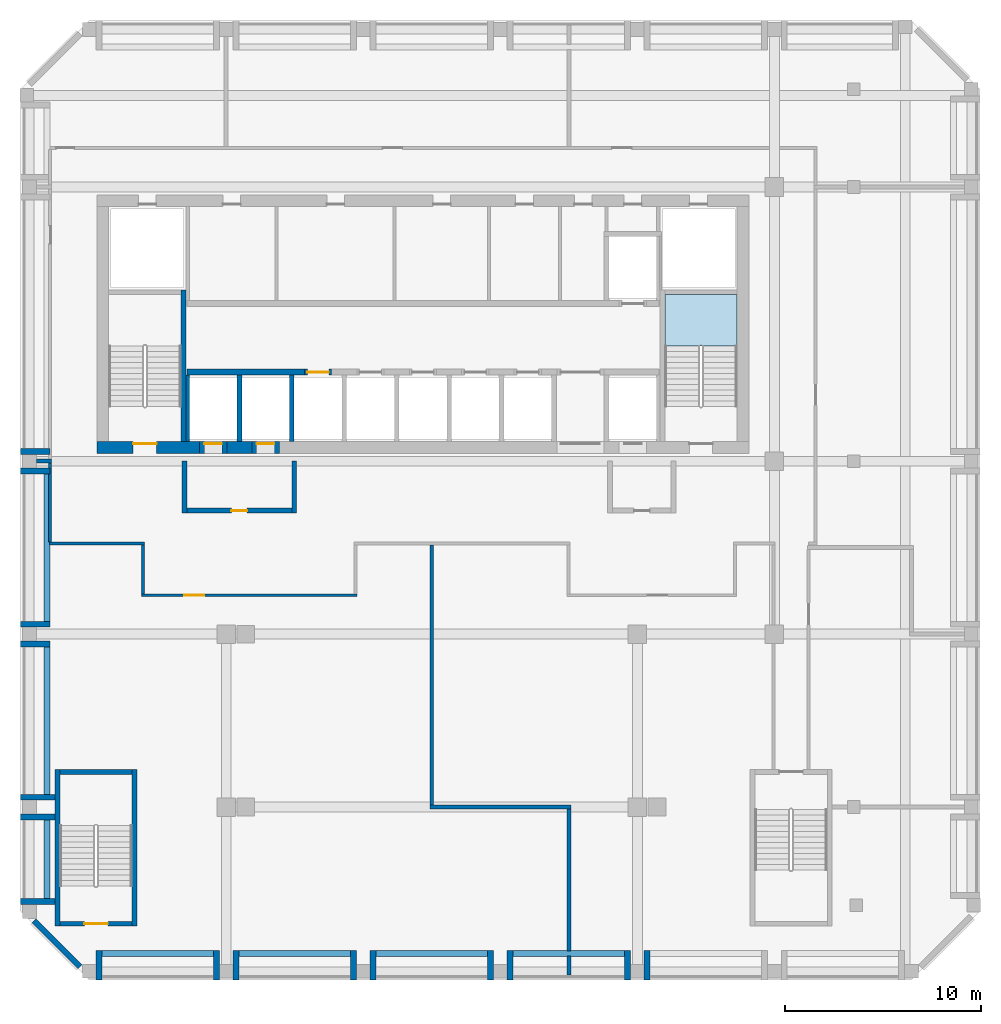
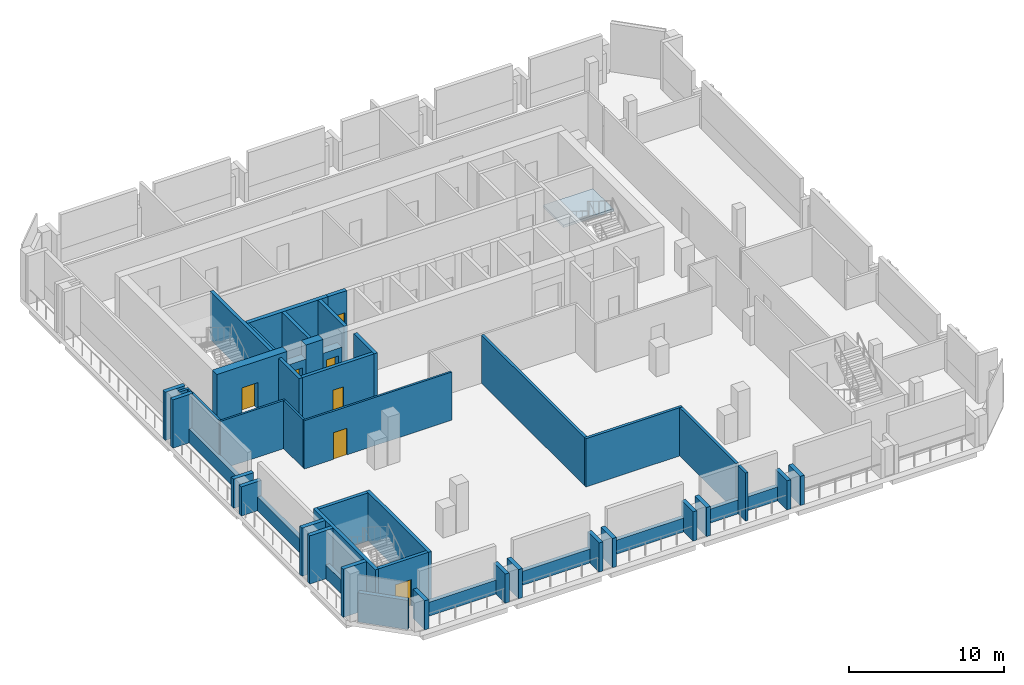
# One storey, part 2 of 7: 50 walls, 7 doors, 1 slab, 7 openings, 1 element without a shape of its own.
"""IFC4 building model written with IfcOpenShell, lengths in metres."""

from ifc_helpers import new_model, si_unit, direction, frame, frame_2d, origin, place, context, subcontext, project, spatial, polyline, rectangle, outline, extrude, source, transform, mapped, material, layer, layer_set, type_object, element, fill, aggregate, save


model = new_model("IFC4")

# Units and contexts
model_context = context("Model", 3, precision=1e-05, world=origin(), true_north=direction((0.0, 1.0)))
body_context = subcontext(model_context, "Body", "Model", "MODEL_VIEW")
ifc_project = project(units=[si_unit("LENGTHUNIT", "METRE"), si_unit("AREAUNIT", "SQUARE_METRE"), si_unit("VOLUMEUNIT", "CUBIC_METRE"), si_unit("PLANEANGLEUNIT", "RADIAN"), si_unit("MASSUNIT", "GRAM", prefix="KILO")], contexts=[model_context])

# Site, building, storey
site_placement = place(None, origin())
site = spatial("IfcSite", under=ifc_project, at=site_placement, CompositionType="ELEMENT")
building_placement = place(site_placement, origin())
building = spatial("IfcBuilding", under=site, at=building_placement, Name="Kilnfold Tower and Market Hall", CompositionType="ELEMENT")
storey_placement = place(building_placement, frame((0.0, 0.0, 262.800048828125)))
storey = spatial("IfcBuildingStorey", under=building, at=storey_placement, Name="L64 Plant Transfer Level", CompositionType="ELEMENT", Elevation=262.800048828125)

# Stair, slab
ifc_material_1 = material(Name="Concrete C40/50", Category="concrete")
stair_type = type_object("IfcStairType", Name="CORE STAIR 1800", PredefinedType="HALF_TURN_STAIR", material=ifc_material_1)
stair_placement = place(storey_placement, origin())
stair = element("IfcStair", 1, at=stair_placement, inside=storey, type_object=stair_type, Name="L64 Plant Transfer Level ST2", PredefinedType="HALF_TURN_STAIR")
ifc_material_2 = material(Name="Concrete C40/50", Category="concrete")
ifc_layer_1 = layer(ifc_material_2, 0.199951171875)
ifc_layer_set_1 = layer_set([ifc_layer_1], Name="Concrete C40/50")
slab_type = type_object("IfcSlabType", Name="CORE STAIR LANDING 200", PredefinedType="LANDING", material=ifc_layer_set_1)
shared_shape_1 = source(origin(), body_context, "Body", "SweptSolid", [
    extrude(outline(polyline([(17.10009765625, 13.8798828125), (17.10009765625, 16.5), (13.39990234375, 16.5), (13.39990234375, 13.8798828125), (17.10009765625, 13.8798828125)])), origin(), (0.0, 0.0, 1.0), 0.199951171875),
])
slab_placement = place(storey_placement, frame((0.0, 0.0, 1.89990234375)))
slab = element("IfcSlab", 2, at=slab_placement, type_object=slab_type, Name="ST2 landing 1", PredefinedType="LANDING", context=body_context, shape_type="MappedRepresentation", body=[
    mapped(shared_shape_1, transform((0.0, 0.0, 0.0))),
])
aggregate(stair, [slab])

# Wall, opening, door
ifc_material_3 = material(Name="Gypsum board on steel studs", Category="steel")
ifc_layer_2 = layer(ifc_material_3, 0.14990234375)
ifc_layer_set_2 = layer_set([ifc_layer_2], Name="Gypsum board on steel studs")
wall_type_1 = type_object("IfcWallType", Name="WALL CORRIDOR 150", PredefinedType="PARTITIONING", material=ifc_layer_set_2)
wall_1_placement = place(storey_placement, frame((-13.3349609375, 1.14990234375, 0.0), z_axis=(0.0, 0.0, 1.0), x_axis=(1.0, 0.0, 0.0)))
wall_1 = element("IfcWall", 3, at=wall_1_placement, inside=storey, type_object=wall_type_1, Name="Partition LY40.3", PredefinedType="PARTITIONING", context=body_context, shape_type="SweptSolid", body=[
    extrude(rectangle(XDim=11.010009765625, YDim=0.14990234375, at=frame_2d((5.5048828125, 0.0))), origin(), (0.0, 0.0, 1.0), 3.800048828125),
])
opening_1_placement = place(wall_1_placement, frame((2.201904296875, 0.0, 0.0)))
opening_1 = element("IfcOpeningElement", 4, at=opening_1_placement, cuts=wall_1, Name="Opening D4", PredefinedType="OPENING", context=body_context, shape_type="SweptSolid", body=[
    extrude(rectangle(XDim=1.0, YDim=2.10009765625, at=frame_2d((0.5, 1.050048828125))), frame((0.0, 0.0849609375, 0.0), z_axis=(0.0, -1.0, 0.0), x_axis=(1.0, 0.0, 0.0)), (0.0, 0.0, 1.0), 0.169921875),
])
ifc_material_4 = material(Name="Timber veneer door leaf in steel frame", Category="steel")
door_type_1 = type_object("IfcDoorType", Name="DOOR SERVICE 1000 X2100", OperationType="NOTDEFINED", PredefinedType="DOOR", material=ifc_material_4)
door_1_placement = place(opening_1_placement, origin())
door_1 = element("IfcDoor", 5, at=door_1_placement, inside=storey, type_object=door_type_1, Name="Door D4", OperationType="SINGLE_SWING_LEFT", OverallHeight=2.10009765625, OverallWidth=1.0, PredefinedType="DOOR", context=body_context, shape_type="SweptSolid", body=[
    extrude(rectangle(XDim=1.0, YDim=2.10009765625, at=frame_2d((0.5, 1.050048828125))), frame((0.0, 0.02490234375, 0.0), z_axis=(0.0, -1.0, 0.0), x_axis=(1.0, 0.0, 0.0)), (0.0, 0.0, 1.0), 0.050048828125),
])
fill(opening_1, door_1)

# Walls
wall_2_placement = place(storey_placement, frame((-13.260009765625, 3.72509765625, 0.0), z_axis=(0.0, 0.0, 1.0), x_axis=(0.0, -1.0, 0.0)))
element("IfcWall", 6, at=wall_2_placement, inside=storey, type_object=wall_type_1, Name="Partition LY40.4", PredefinedType="PARTITIONING", context=body_context, shape_type="SweptSolid", body=[
    extrude(rectangle(XDim=2.5, YDim=0.14990234375, at=frame_2d((1.25, 0.0))), origin(), (0.0, 0.0, 1.0), 3.800048828125),
])
wall_3_placement = place(storey_placement, frame((-18.030029296875, 3.800048828125, 0.0), z_axis=(0.0, 0.0, 1.0), x_axis=(1.0, 0.0, 0.0)))
element("IfcWall", 7, at=wall_3_placement, inside=storey, type_object=wall_type_1, Name="Partition LY40.5", PredefinedType="PARTITIONING", context=body_context, shape_type="SweptSolid", body=[
    extrude(rectangle(XDim=4.844970703125, YDim=0.14990234375, at=frame_2d((2.42236328125, 0.0))), origin(), (0.0, 0.0, 1.0), 3.800048828125),
])
wall_4_placement = place(storey_placement, frame((-18.0, 3.875, 0.0), z_axis=(0.0, 0.0, 1.0), x_axis=(0.0, 1.0, 0.0)))
element("IfcWall", 8, at=wall_4_placement, inside=storey, type_object=wall_type_1, Name="Partition LY40.6", PredefinedType="PARTITIONING", context=body_context, shape_type="SweptSolid", body=[
    extrude(rectangle(XDim=4.034912109375, YDim=0.14990234375, at=frame_2d((2.017578125, 0.0))), origin(), (0.0, 0.0, 1.0), 3.800048828125),
])
ifc_material_5 = material(Name="Gypsum board on steel studs", Category="steel")
ifc_layer_3 = layer(ifc_material_5, 0.199951171875)
ifc_layer_set_3 = layer_set([ifc_layer_3], Name="Gypsum board on steel studs")
wall_type_2 = type_object("IfcWallType", Name="WALL PARTY 200", PredefinedType="PARTITIONING", material=ifc_layer_set_3)
wall_5_placement = place(storey_placement, frame((1.5, -9.56689453125, 0.0), z_axis=(0.0, 0.0, 1.0), x_axis=(0.0, 1.0, 0.0)))
element("IfcWall", 9, at=wall_5_placement, inside=storey, type_object=wall_type_2, Name="Partition LY40.20", PredefinedType="PARTITIONING", context=body_context, shape_type="SweptSolid", body=[
    extrude(rectangle(XDim=13.289794921875, YDim=0.199951171875, at=frame_2d((6.64501953125, 0.0))), origin(), (0.0, 0.0, 1.0), 3.800048828125),
])
wall_6_placement = place(storey_placement, frame((1.39990234375, -9.6669921875, 0.0), z_axis=(0.0, 0.0, 1.0), x_axis=(1.0, 0.0, 0.0)))
element("IfcWall", 10, at=wall_6_placement, inside=storey, type_object=wall_type_2, Name="Partition LY40.21", PredefinedType="PARTITIONING", context=body_context, shape_type="SweptSolid", body=[
    extrude(rectangle(XDim=7.2001953125, YDim=0.199951171875, at=frame_2d((3.60009765625, 0.0))), origin(), (0.0, 0.0, 1.0), 3.800048828125),
])
wall_7_placement = place(storey_placement, frame((8.5, -18.25, 0.0), z_axis=(0.0, 0.0, 1.0), x_axis=(0.0, 1.0, 0.0)))
element("IfcWall", 11, at=wall_7_placement, inside=storey, type_object=wall_type_2, Name="Partition LY40.22", PredefinedType="PARTITIONING", context=body_context, shape_type="SweptSolid", body=[
    extrude(rectangle(XDim=0.97998046875, YDim=0.199951171875, at=frame_2d((0.489990234375, 0.0))), origin(), (0.0, 0.0, 1.0), 3.800048828125),
])
wall_8_placement = place(storey_placement, frame((8.5, -17.030029296875, 0.0), z_axis=(0.0, 0.0, 1.0), x_axis=(0.0, 1.0, 0.0)))
element("IfcWall", 12, at=wall_8_placement, inside=storey, type_object=wall_type_2, Name="Partition LY40.23", PredefinedType="PARTITIONING", context=body_context, shape_type="SweptSolid", body=[
    extrude(rectangle(XDim=7.262939453125, YDim=0.199951171875, at=frame_2d((3.63134765625, 0.0))), origin(), (0.0, 0.0, 1.0), 3.800048828125),
])
wall_9_placement = place(storey_placement, frame((-17.927001953125, 8.0, 0.0), z_axis=(0.0, 0.0, 1.0), x_axis=(-1.0, 0.0, 0.0)))
element("IfcWall", 13, at=wall_9_placement, inside=storey, type_object=wall_type_2, Name="Partition LY40.24", PredefinedType="PARTITIONING", context=body_context, shape_type="SweptSolid", body=[
    extrude(rectangle(XDim=0.77294921875, YDim=0.199951171875, at=frame_2d((0.386474609375, 0.0))), origin(), (0.0, 0.0, 1.0), 3.800048828125),
])
ifc_material_6 = material(Name="Concrete C50", Category="concrete")
ifc_layer_4 = layer(ifc_material_6, 0.25)
ifc_layer_set_4 = layer_set([ifc_layer_4], Name="Concrete C50")
wall_type_3 = type_object("IfcWallType", Name="CORE WALL 250 C50", PredefinedType="SHEAR", material=ifc_layer_set_4)
shared_shape_2 = source(origin(), body_context, "Body", "SweptSolid", [
    extrude(rectangle(XDim=7.75, YDim=0.25, at=frame_2d((3.875, 0.0))), origin(), (0.0, 0.0, 1.0), 3.800048828125),
])
wall_10_placement = place(storey_placement, frame((-11.175048828125, 9.0, 0.0), z_axis=(0.0, 0.0, 1.0), x_axis=(0.0, 1.0, 0.0)))
element("IfcWall", 14, at=wall_10_placement, inside=storey, type_object=wall_type_3, Name="Stair enclosure ST1", PredefinedType="SHEAR", context=body_context, shape_type="MappedRepresentation", body=[
    mapped(shared_shape_2, transform((0.0, 0.0, 0.0))),
])

# Wall, opening, door
shared_shape_3 = source(origin(), body_context, "Body", "SweptSolid", [
    extrude(rectangle(XDim=3.699951171875, YDim=0.25, at=frame_2d((1.85009765625, 0.0))), origin(), (0.0, 0.0, 1.0), 3.800048828125),
])
wall_11_placement = place(storey_placement, frame((-17.5, -15.625, 0.0), z_axis=(0.0, 0.0, 1.0), x_axis=(1.0, 0.0, 0.0)))
wall_11 = element("IfcWall", 15, at=wall_11_placement, inside=storey, type_object=wall_type_3, Name="Stair enclosure ST3", PredefinedType="SHEAR", context=body_context, shape_type="MappedRepresentation", body=[
    mapped(shared_shape_3, transform((0.0, 0.0, 0.0))),
])
opening_2_placement = place(wall_11_placement, frame((1.25, 0.0, 0.0)))
opening_2 = element("IfcOpeningElement", 16, at=opening_2_placement, cuts=wall_11, Name="Opening SD1", PredefinedType="OPENING", context=body_context, shape_type="SweptSolid", body=[
    extrude(rectangle(XDim=1.199951171875, YDim=2.10009765625, at=frame_2d((0.60009765625, 1.050048828125))), frame((0.0, 0.135009765625, 0.0), z_axis=(0.0, -1.0, 0.0), x_axis=(1.0, 0.0, 0.0)), (0.0, 0.0, 1.0), 0.27001953125),
])
ifc_material_7 = material(Name="Steel door set with fire-resisting leaf", Category="steel")
door_type_2 = type_object("IfcDoorType", Name="STAIR FLOOR DOOR 1200X2100", OperationType="NOTDEFINED", PredefinedType="DOOR", material=ifc_material_7)
door_2_placement = place(opening_2_placement, origin())
door_2 = element("IfcDoor", 17, at=door_2_placement, inside=storey, type_object=door_type_2, Name="Exit stair ST3 door", OperationType="DOUBLE_DOOR_SINGLE_SWING", OverallHeight=2.10009765625, OverallWidth=1.199951171875, PredefinedType="DOOR", context=body_context, shape_type="SweptSolid", body=[
    extrude(rectangle(XDim=1.199951171875, YDim=2.10009765625, at=frame_2d((0.60009765625, 1.050048828125))), frame((0.0, 0.02490234375, 0.0), z_axis=(0.0, -1.0, 0.0), x_axis=(1.0, 0.0, 0.0)), (0.0, 0.0, 1.0), 0.050048828125),
])
fill(opening_2, door_2)

# Walls
wall_12_placement = place(storey_placement, frame((-17.5, -7.875, 0.0), z_axis=(0.0, 0.0, 1.0), x_axis=(1.0, 0.0, 0.0)))
element("IfcWall", 18, at=wall_12_placement, inside=storey, type_object=wall_type_3, Name="Stair enclosure ST3", PredefinedType="SHEAR", context=body_context, shape_type="MappedRepresentation", body=[
    mapped(shared_shape_3, transform((0.0, 0.0, 0.0))),
])
shared_shape_4 = source(origin(), body_context, "Body", "SweptSolid", [
    extrude(rectangle(XDim=8.0, YDim=0.25, at=frame_2d((4.0, 0.0))), origin(), (0.0, 0.0, 1.0), 3.800048828125),
])
for number, where, z_axis, x_axis, name in (
    (19, (-17.625, -15.75, 0.0), (0.0, 0.0, 1.0), (0.0, 1.0, 0.0), "Stair enclosure ST3"),
    (20, (-13.675048828125, -15.75, 0.0), (0.0, 0.0, 1.0), (0.0, 1.0, 0.0), "Stair enclosure ST3"),
):
    element("IfcWall", number, at=place(storey_placement, frame(where, z_axis=z_axis, x_axis=x_axis)), inside=storey, type_object=wall_type_3, Name=name, PredefinedType="SHEAR", context=body_context, shape_type="MappedRepresentation", body=[
        mapped(shared_shape_4, transform((0.0, 0.0, 0.0))),
    ])
ifc_material_8 = material(Name="Concrete C50", Category="concrete")
ifc_layer_5 = layer(ifc_material_8, 0.300048828125)
ifc_layer_set_5 = layer_set([ifc_layer_5], Name="Concrete C50")
wall_type_4 = type_object("IfcWallType", Name="CORE WALL 300 C50", PredefinedType="SHEAR", material=ifc_layer_set_5)
shared_shape_5 = source(origin(), body_context, "Body", "SweptSolid", [
    extrude(rectangle(XDim=6.0, YDim=0.300048828125, at=frame_2d((3.0, 0.0))), origin(), (0.0, 0.0, 1.0), 3.800048828125),
])
wall_13_placement = place(storey_placement, frame((-11.010009765625, 12.550048828125, 0.0), z_axis=(0.0, 0.0, 1.0), x_axis=(1.0, 0.0, 0.0)))
element("IfcWall", 21, at=wall_13_placement, inside=storey, type_object=wall_type_4, Name="Core spine wall", PredefinedType="SHEAR", context=body_context, shape_type="MappedRepresentation", body=[
    mapped(shared_shape_5, transform((0.0, 0.0, 0.0))),
])

# Wall, opening, door
ifc_material_9 = material(Name="Concrete C50", Category="concrete")
ifc_layer_6 = layer(ifc_material_9, 0.60009765625)
ifc_layer_set_6 = layer_set([ifc_layer_6], Name="Concrete C50")
wall_type_5 = type_object("IfcWallType", Name="CORE WALL 600 C50", PredefinedType="SHEAR", material=ifc_layer_set_6)
shared_shape_6 = source(origin(), body_context, "Body", "SweptSolid", [
    extrude(rectangle(XDim=5.22998046875, YDim=0.60009765625, at=frame_2d((2.614990234375, 0.0))), origin(), (0.0, 0.0, 1.0), 3.800048828125),
])
wall_14_placement = place(storey_placement, frame((-15.60009765625, 8.699951171875, 0.0), z_axis=(0.0, 0.0, 1.0), x_axis=(1.0, 0.0, 0.0)))
wall_14 = element("IfcWall", 22, at=wall_14_placement, inside=storey, type_object=wall_type_5, Name="Core outer wall south", PredefinedType="SHEAR", context=body_context, shape_type="MappedRepresentation", body=[
    mapped(shared_shape_6, transform((0.0, 0.0, 0.0))),
])
opening_3_placement = place(wall_14_placement, frame((1.85009765625, 0.0, 0.0)))
opening_3 = element("IfcOpeningElement", 23, at=opening_3_placement, cuts=wall_14, Name="Opening SD1", PredefinedType="OPENING", context=body_context, shape_type="SweptSolid", body=[
    extrude(rectangle(XDim=1.199951171875, YDim=2.10009765625, at=frame_2d((0.60009765625, 1.050048828125))), frame((0.0, 0.31005859375, 0.0), z_axis=(0.0, -1.0, 0.0), x_axis=(1.0, 0.0, 0.0)), (0.0, 0.0, 1.0), 0.6201171875),
])
door_3_placement = place(opening_3_placement, origin())
door_3 = element("IfcDoor", 24, at=door_3_placement, inside=storey, type_object=door_type_2, Name="Exit stair ST1 door", OperationType="DOUBLE_DOOR_SINGLE_SWING", OverallHeight=2.10009765625, OverallWidth=1.199951171875, PredefinedType="DOOR", context=body_context, shape_type="SweptSolid", body=[
    extrude(rectangle(XDim=1.199951171875, YDim=2.10009765625, at=frame_2d((0.60009765625, 1.050048828125))), frame((0.0, 0.205078125, 0.0), z_axis=(0.0, -1.0, 0.0), x_axis=(1.0, 0.0, 0.0)), (0.0, 0.0, 1.0), 0.050048828125),
])
fill(opening_3, door_3)

# Walls
shared_shape_7 = source(origin(), body_context, "Body", "SweptSolid", [
    extrude(rectangle(XDim=1.280029296875, YDim=0.60009765625, at=frame_2d((0.64013671875, 0.0))), origin(), (0.0, 0.0, 1.0), 3.800048828125),
])
wall_15_placement = place(storey_placement, frame((-8.969970703125, 8.699951171875, 0.0), z_axis=(0.0, 0.0, 1.0), x_axis=(1.0, 0.0, 0.0)))
element("IfcWall", 25, at=wall_15_placement, inside=storey, type_object=wall_type_5, Name="Core outer wall south", PredefinedType="SHEAR", context=body_context, shape_type="MappedRepresentation", body=[
    mapped(shared_shape_7, transform((0.0, 0.0, 0.0))),
])
ifc_material_10 = material(Name="Precast concrete C50/60", Category="concrete")
ifc_layer_7 = layer(ifc_material_10, 0.300048828125)
ifc_layer_set_7 = layer_set([ifc_layer_7], Name="Precast concrete C50/60")
wall_type_6 = type_object("IfcWallType", Name="PRECAST WALL 300", PredefinedType="SOLIDWALL", material=ifc_layer_set_7)
shared_shape_8 = source(origin(), body_context, "Body", "SweptSolid", [
    extrude(rectangle(XDim=1.5, YDim=0.300048828125, at=frame_2d((0.75, 0.0))), origin(), (0.0, 0.0, 1.0), 2.300048828125),
])
for number, where, z_axis, x_axis, name in (
    (26, (-15.5, -18.5, 0.0), (0.0, 0.0, 1.0), (0.0, 1.0, 0.0), "Plant wall L64 S"),
    (27, (-9.5, -18.5, 0.0), (0.0, 0.0, 1.0), (0.0, 1.0, 0.0), "Plant wall L64 S"),
    (28, (-8.5, -18.5, 0.0), (0.0, 0.0, 1.0), (0.0, 1.0, 0.0), "Plant wall L64 S"),
    (29, (-2.5, -18.5, 0.0), (0.0, 0.0, 1.0), (0.0, 1.0, 0.0), "Plant wall L64 S"),
    (30, (-1.5, -18.5, 0.0), (0.0, 0.0, 1.0), (0.0, 1.0, 0.0), "Plant wall L64 S"),
    (31, (4.5, -18.5, 0.0), (0.0, 0.0, 1.0), (0.0, 1.0, 0.0), "Plant wall L64 S"),
    (32, (5.5, -18.5, 0.0), (0.0, 0.0, 1.0), (0.0, 1.0, 0.0), "Plant wall L64 S"),
    (33, (11.5, -18.5, 0.0), (0.0, 0.0, 1.0), (0.0, 1.0, 0.0), "Plant wall L64 S"),
    (34, (12.5, -18.5, 0.0), (0.0, 0.0, 1.0), (0.0, 1.0, 0.0), "Plant wall L64 S"),
    (35, (-19.5, -0.333251953125, 0.0), (0.0, 0.0, 1.0), (1.0, 0.0, 0.0), "Plant wall L64 W"),
    (36, (-19.5, -1.333251953125, 0.0), (0.0, 0.0, 1.0), (1.0, 0.0, 0.0), "Plant wall L64 W"),
):
    element("IfcWall", number, at=place(storey_placement, frame(where, z_axis=z_axis, x_axis=x_axis)), inside=storey, type_object=wall_type_6, Name=name, PredefinedType="SOLIDWALL", context=body_context, shape_type="MappedRepresentation", body=[
        mapped(shared_shape_8, transform((0.0, 0.0, 0.0))),
    ])
shared_shape_9 = source(origin(), body_context, "Body", "SweptSolid", [
    extrude(rectangle(XDim=1.5, YDim=0.300048828125, at=frame_2d((0.75, 0.0))), origin(), (0.0, 0.0, 1.0), 3.800048828125),
])
for number, where, z_axis, x_axis, name in (
    (37, (-19.5, 8.5, 0.0), (0.0, 0.0, 1.0), (1.0, 0.0, 0.0), "Plant wall L64 W"),
    (38, (-19.5, 7.5, 0.0), (0.0, 0.0, 1.0), (1.0, 0.0, 0.0), "Plant wall L64 W"),
):
    element("IfcWall", number, at=place(storey_placement, frame(where, z_axis=z_axis, x_axis=x_axis)), inside=storey, type_object=wall_type_6, Name=name, PredefinedType="SOLIDWALL", context=body_context, shape_type="MappedRepresentation", body=[
        mapped(shared_shape_9, transform((0.0, 0.0, 0.0))),
    ])
shared_shape_10 = source(origin(), body_context, "Body", "SweptSolid", [
    extrude(rectangle(XDim=5.7001953125, YDim=0.300048828125, at=frame_2d((2.85009765625, 0.0))), origin(), (0.0, 0.0, 1.0), 1.099853515625),
])
for number, where, z_axis, x_axis, name in (
    (39, (-15.35009765625, -17.14990234375, 0.0), (0.0, 0.0, 1.0), (1.0, 0.0, 0.0), "Knee wall L64 S"),
    (40, (-8.35009765625, -17.14990234375, 0.0), (0.0, 0.0, 1.0), (1.0, 0.0, 0.0), "Knee wall L64 S"),
    (41, (-1.35009765625, -17.14990234375, 0.0), (0.0, 0.0, 1.0), (1.0, 0.0, 0.0), "Knee wall L64 S"),
    (42, (5.64990234375, -17.14990234375, 0.0), (0.0, 0.0, 1.0), (1.0, 0.0, 0.0), "Knee wall L64 S"),
):
    element("IfcWall", number, at=place(storey_placement, frame(where, z_axis=z_axis, x_axis=x_axis)), inside=storey, type_object=wall_type_6, Name=name, PredefinedType="SOLIDWALL", context=body_context, shape_type="MappedRepresentation", body=[
        mapped(shared_shape_10, transform((0.0, 0.0, 0.0))),
    ])
shared_shape_11 = source(origin(), body_context, "Body", "SweptSolid", [
    extrude(rectangle(XDim=7.533203125, YDim=0.300048828125, at=frame_2d((3.7666015625, 0.0))), origin(), (0.0, 0.0, 1.0), 1.099853515625),
])
wall_16_placement = place(storey_placement, frame((-18.14990234375, -1.4833984375, 0.0), z_axis=(0.0, 0.0, 1.0), x_axis=(0.0, -1.0, 0.0)))
element("IfcWall", 43, at=wall_16_placement, inside=storey, type_object=wall_type_6, Name="Knee wall L64 W", PredefinedType="SOLIDWALL", context=body_context, shape_type="MappedRepresentation", body=[
    mapped(shared_shape_11, transform((0.0, 0.0, 0.0))),
])
shared_shape_12 = source(origin(), body_context, "Body", "SweptSolid", [
    extrude(rectangle(XDim=7.533447265625, YDim=0.300048828125, at=frame_2d((3.7666015625, 0.0))), origin(), (0.0, 0.0, 1.0), 1.099853515625),
])
wall_17_placement = place(storey_placement, frame((-18.14990234375, 7.35009765625, 0.0), z_axis=(0.0, 0.0, 1.0), x_axis=(0.0, -1.0, 0.0)))
element("IfcWall", 44, at=wall_17_placement, inside=storey, type_object=wall_type_6, Name="Knee wall L64 W", PredefinedType="SOLIDWALL", context=body_context, shape_type="MappedRepresentation", body=[
    mapped(shared_shape_12, transform((0.0, 0.0, 0.0))),
])
shared_shape_13 = source(origin(), body_context, "Body", "SweptSolid", [
    extrude(rectangle(XDim=1.75, YDim=0.300048828125, at=frame_2d((0.875, 0.0))), origin(), (0.0, 0.0, 1.0), 3.800048828125),
])
for number, where, z_axis, x_axis, name in (
    (45, (-19.5, -9.166748046875, 0.0), (0.0, 0.0, 1.0), (1.0, 0.0, 0.0), "Plant wall L64 W"),
    (46, (-19.5, -10.166748046875, 0.0), (0.0, 0.0, 1.0), (1.0, 0.0, 0.0), "Plant wall L64 W"),
    (47, (-19.5, -14.5, 0.0), (0.0, 0.0, 1.0), (1.0, 0.0, 0.0), "Plant wall L64 W"),
):
    element("IfcWall", number, at=place(storey_placement, frame(where, z_axis=z_axis, x_axis=x_axis)), inside=storey, type_object=wall_type_6, Name=name, PredefinedType="SOLIDWALL", context=body_context, shape_type="MappedRepresentation", body=[
        mapped(shared_shape_13, transform((0.0, 0.0, 0.0))),
    ])
shared_shape_14 = source(origin(), body_context, "Body", "SweptSolid", [
    extrude(rectangle(XDim=4.033447265625, YDim=0.300048828125, at=frame_2d((2.0166015625, 0.0))), origin(), (0.0, 0.0, 1.0), 1.099853515625),
])
wall_18_placement = place(storey_placement, frame((-18.14990234375, -10.316650390625, 0.0), z_axis=(0.0, 0.0, 1.0), x_axis=(0.0, -1.0, 0.0)))
element("IfcWall", 48, at=wall_18_placement, inside=storey, type_object=wall_type_6, Name="Knee wall L64 W", PredefinedType="SOLIDWALL", context=body_context, shape_type="MappedRepresentation", body=[
    mapped(shared_shape_14, transform((0.0, 0.0, 0.0))),
])
shared_shape_15 = source(origin(), body_context, "Body", "SweptSolid", [
    extrude(rectangle(XDim=3.323486328125, YDim=0.300048828125, at=frame_2d((1.66162109375, 0.0))), origin(), (0.0, 0.0, 1.0), 2.300048828125),
])
wall_19_placement = place(storey_placement, frame((-18.81884765625, -15.468994140625, 0.0), z_axis=(0.0, 0.0, 1.0), x_axis=(0.707070049321, -0.707143511144, 0.0)))
element("IfcWall", 49, at=wall_19_placement, inside=storey, type_object=wall_type_6, Name="Plant wall L64 SW", PredefinedType="SOLIDWALL", context=body_context, shape_type="MappedRepresentation", body=[
    mapped(shared_shape_15, transform((0.0, 0.0, 0.0))),
])

# Wall, opening, door
ifc_material_11 = material(Name="Gypsum shaft wall system")
ifc_layer_8 = layer(ifc_material_11, 0.300048828125)
ifc_layer_set_8 = layer_set([ifc_layer_8], Name="Gypsum shaft wall system")
wall_type_7 = type_object("IfcWallType", Name="SHAFT WALL 300", PredefinedType="PARTITIONING", material=ifc_layer_set_8)
shared_shape_16 = source(origin(), body_context, "Body", "SweptSolid", [
    extrude(rectangle(XDim=1.39990234375, YDim=0.300048828125, at=frame_2d((0.699951171875, 0.0))), origin(), (0.0, 0.0, 1.0), 3.800048828125),
])
wall_20_placement = place(storey_placement, frame((-5.010009765625, 12.550048828125, 0.0), z_axis=(0.0, 0.0, 1.0), x_axis=(1.0, 0.0, 0.0)))
wall_20 = element("IfcWall", 50, at=wall_20_placement, inside=storey, type_object=wall_type_7, Name="Lift shaft front wall", PredefinedType="PARTITIONING", context=body_context, shape_type="MappedRepresentation", body=[
    mapped(shared_shape_16, transform((0.0, 0.0, 0.0))),
])
opening_4_placement = place(wall_20_placement, frame((0.14990234375, 0.0, 0.0)))
opening_4 = element("IfcOpeningElement", 51, at=opening_4_placement, cuts=wall_20, Name="Opening LD2", PredefinedType="OPENING", context=body_context, shape_type="SweptSolid", body=[
    extrude(rectangle(XDim=1.10009765625, YDim=2.10009765625, at=frame_2d((0.550048828125, 1.050048828125))), frame((0.0, 0.16015625, 0.0), z_axis=(0.0, -1.0, 0.0), x_axis=(1.0, 0.0, 0.0)), (0.0, 0.0, 1.0), 0.320068359375),
])
ifc_material_12 = material(Name="Steel door set with fire-resisting leaf", Category="steel")
door_type_3 = type_object("IfcDoorType", Name="LANDING DOOR 1100X2100", OperationType="NOTDEFINED", PredefinedType="DOOR", material=ifc_material_12)
door_4_placement = place(opening_4_placement, origin())
door_4 = element("IfcDoor", 52, at=door_4_placement, inside=storey, type_object=door_type_3, Name="Landing door HR1", OperationType="DOUBLE_DOOR_SLIDING", OverallHeight=2.10009765625, OverallWidth=1.10009765625, PredefinedType="DOOR", context=body_context, shape_type="SweptSolid", body=[
    extrude(rectangle(XDim=1.10009765625, YDim=2.10009765625, at=frame_2d((0.550048828125, 1.050048828125))), frame((0.0, 0.02490234375, 0.0), z_axis=(0.0, -1.0, 0.0), x_axis=(1.0, 0.0, 0.0)), (0.0, 0.0, 1.0), 0.050048828125),
])
fill(opening_4, door_4)

# Walls
ifc_material_13 = material(Name="Gypsum shaft wall system")
ifc_layer_9 = layer(ifc_material_13, 0.25)
ifc_layer_set_9 = layer_set([ifc_layer_9], Name="Gypsum shaft wall system")
wall_type_8 = type_object("IfcWallType", Name="LOBBY WALL 250", PredefinedType="PARTITIONING", material=ifc_layer_set_9)
shared_shape_17 = source(origin(), body_context, "Body", "SweptSolid", [
    extrude(rectangle(XDim=2.64990234375, YDim=0.25, at=frame_2d((1.324951171875, 0.0))), origin(), (0.0, 0.0, 1.0), 3.800048828125),
])
for number, where, z_axis, x_axis, name in (
    (53, (-11.135009765625, 5.35009765625, 0.0), (0.0, 0.0, 1.0), (0.0, 1.0, 0.0), "Firefighting lobby wall"),
    (54, (-5.52490234375, 5.35009765625, 0.0), (0.0, 0.0, 1.0), (0.0, 1.0, 0.0), "Firefighting lobby wall"),
):
    element("IfcWall", number, at=place(storey_placement, frame(where, z_axis=z_axis, x_axis=x_axis)), inside=storey, type_object=wall_type_8, Name=name, PredefinedType="PARTITIONING", context=body_context, shape_type="MappedRepresentation", body=[
        mapped(shared_shape_17, transform((0.0, 0.0, 0.0))),
    ])

# Wall, opening, door
shared_shape_18 = source(origin(), body_context, "Body", "SweptSolid", [
    extrude(rectangle(XDim=5.360107421875, YDim=0.25, at=frame_2d((2.68017578125, 0.0))), origin(), (0.0, 0.0, 1.0), 3.800048828125),
])
wall_21_placement = place(storey_placement, frame((-11.010009765625, 5.47509765625, 0.0), z_axis=(0.0, 0.0, 1.0), x_axis=(1.0, 0.0, 0.0)))
wall_21 = element("IfcWall", 55, at=wall_21_placement, inside=storey, type_object=wall_type_8, Name="Firefighting lobby wall", PredefinedType="PARTITIONING", context=body_context, shape_type="MappedRepresentation", body=[
    mapped(shared_shape_18, transform((0.0, 0.0, 0.0))),
])
opening_5_placement = place(wall_21_placement, frame((2.280029296875, 0.0, 0.0)))
opening_5 = element("IfcOpeningElement", 56, at=opening_5_placement, cuts=wall_21, Name="Opening VD1", PredefinedType="OPENING", context=body_context, shape_type="SweptSolid", body=[
    extrude(rectangle(XDim=0.800048828125, YDim=2.0, at=frame_2d((0.39990234375, 1.0))), frame((0.0, 0.135009765625, 0.0), z_axis=(0.0, -1.0, 0.0), x_axis=(1.0, 0.0, 0.0)), (0.0, 0.0, 1.0), 0.27001953125),
])
ifc_material_14 = material(Name="Steel door set with fire-resisting leaf", Category="steel")
door_type_4 = type_object("IfcDoorType", Name="FIREFIGHTING LOBBY DOOR 800X2000", OperationType="NOTDEFINED", PredefinedType="DOOR", material=ifc_material_14)
door_5_placement = place(opening_5_placement, origin())
door_5 = element("IfcDoor", 57, at=door_5_placement, inside=storey, type_object=door_type_4, Name="Firefighting lobby door", OperationType="SINGLE_SWING_LEFT", OverallHeight=2.0, OverallWidth=0.800048828125, PredefinedType="DOOR", context=body_context, shape_type="SweptSolid", body=[
    extrude(rectangle(XDim=0.800048828125, YDim=2.0, at=frame_2d((0.39990234375, 1.0))), frame((0.0, 0.02490234375, 0.0), z_axis=(0.0, -1.0, 0.0), x_axis=(1.0, 0.0, 0.0)), (0.0, 0.0, 1.0), 0.050048828125),
])
fill(opening_5, door_5)

# Walls
ifc_material_15 = material(Name="Gypsum shaft wall system")
ifc_layer_10 = layer(ifc_material_15, 0.25)
ifc_layer_set_10 = layer_set([ifc_layer_10], Name="Gypsum shaft wall system")
wall_type_9 = type_object("IfcWallType", Name="SHAFT WALL 250", PredefinedType="PARTITIONING", material=ifc_layer_set_10)
shared_shape_19 = source(origin(), body_context, "Body", "SweptSolid", [
    extrude(rectangle(XDim=3.39990234375, YDim=0.25, at=frame_2d((1.699951171875, 0.0))), origin(), (0.0, 0.0, 1.0), 3.800048828125),
])
for number, where, z_axis, x_axis, name in (
    (58, (-5.64990234375, 9.0, 0.0), (0.0, 0.0, 1.0), (0.0, 1.0, 0.0), "Lift shaft wall"),
    (59, (-8.330078125, 9.0, 0.0), (0.0, 0.0, 1.0), (0.0, 1.0, 0.0), "Lift shaft wall"),
):
    element("IfcWall", number, at=place(storey_placement, frame(where, z_axis=z_axis, x_axis=x_axis)), inside=storey, type_object=wall_type_9, Name=name, PredefinedType="PARTITIONING", context=body_context, shape_type="MappedRepresentation", body=[
        mapped(shared_shape_19, transform((0.0, 0.0, 0.0))),
    ])
ifc_material_16 = material(Name="Gypsum shaft wall system")
ifc_layer_11 = layer(ifc_material_16, 0.1650390625)
ifc_layer_set_11 = layer_set([ifc_layer_11], Name="Gypsum shaft wall system")
wall_type_10 = type_object("IfcWallType", Name="SHAFT WALL 165", PredefinedType="PARTITIONING", material=ifc_layer_set_11)
shared_shape_20 = source(origin(), body_context, "Body", "SweptSolid", [
    extrude(rectangle(XDim=3.39990234375, YDim=0.1650390625, at=frame_2d((1.699951171875, 0.0))), origin(), (0.0, 0.0, 1.0), 3.800048828125),
])
wall_22_placement = place(storey_placement, frame((-10.967529296875, 9.0, 0.0), z_axis=(0.0, 0.0, 1.0), x_axis=(0.0, 1.0, 0.0)))
element("IfcWall", 60, at=wall_22_placement, inside=storey, type_object=wall_type_10, Name="Lift shaft wall", PredefinedType="PARTITIONING", context=body_context, shape_type="MappedRepresentation", body=[
    mapped(shared_shape_20, transform((0.0, 0.0, 0.0))),
])

# Wall, opening, door
ifc_material_17 = material(Name="Gypsum shaft wall system")
ifc_layer_12 = layer(ifc_material_17, 0.60009765625)
ifc_layer_set_12 = layer_set([ifc_layer_12], Name="Gypsum shaft wall system")
wall_type_11 = type_object("IfcWallType", Name="LOBBY WALL 600", PredefinedType="PARTITIONING", material=ifc_layer_set_12)
shared_shape_21 = source(origin(), body_context, "Body", "SweptSolid", [
    extrude(rectangle(XDim=1.400146484375, YDim=0.60009765625, at=frame_2d((0.7001953125, 0.0))), origin(), (0.0, 0.0, 1.0), 2.699951171875),
])
wall_23_placement = place(storey_placement, frame((-10.3701171875, 8.699951171875, 0.0), z_axis=(0.0, 0.0, 1.0), x_axis=(1.0, 0.0, 0.0)))
wall_23 = element("IfcWall", 61, at=wall_23_placement, inside=storey, type_object=wall_type_11, Name="Core wall infill", PredefinedType="PARTITIONING", context=body_context, shape_type="MappedRepresentation", body=[
    mapped(shared_shape_21, transform((0.0, 0.0, 0.0))),
])
opening_6_placement = place(wall_23_placement, frame((0.25, 0.0, 0.0)))
opening_6 = element("IfcOpeningElement", 62, at=opening_6_placement, cuts=wall_23, Name="Opening LD1", PredefinedType="OPENING", context=body_context, shape_type="SweptSolid", body=[
    extrude(rectangle(XDim=0.89990234375, YDim=2.10009765625, at=frame_2d((0.449951171875, 1.050048828125))), frame((0.0, 0.31005859375, 0.0), z_axis=(0.0, -1.0, 0.0), x_axis=(1.0, 0.0, 0.0)), (0.0, 0.0, 1.0), 0.6201171875),
])
ifc_material_18 = material(Name="Steel door set with fire-resisting leaf", Category="steel")
door_type_5 = type_object("IfcDoorType", Name="FIREFIGHTING LANDING DOOR 900X2100", OperationType="NOTDEFINED", PredefinedType="DOOR", material=ifc_material_18)
door_6_placement = place(opening_6_placement, origin())
door_6 = element("IfcDoor", 63, at=door_6_placement, inside=storey, type_object=door_type_5, Name="Landing door FF1", OperationType="SLIDING_TO_LEFT", OverallHeight=2.10009765625, OverallWidth=0.89990234375, PredefinedType="DOOR", context=body_context, shape_type="SweptSolid", body=[
    extrude(rectangle(XDim=0.89990234375, YDim=2.10009765625, at=frame_2d((0.449951171875, 1.050048828125))), frame((0.0, 0.205078125, 0.0), z_axis=(0.0, -1.0, 0.0), x_axis=(1.0, 0.0, 0.0)), (0.0, 0.0, 1.0), 0.050048828125),
])
fill(opening_6, door_6)

shared_shape_22 = source(origin(), body_context, "Body", "SweptSolid", [
    extrude(rectangle(XDim=1.39990234375, YDim=0.60009765625, at=frame_2d((0.699951171875, 0.0))), origin(), (0.0, 0.0, 1.0), 2.699951171875),
])
wall_24_placement = place(storey_placement, frame((-7.68994140625, 8.699951171875, 0.0), z_axis=(0.0, 0.0, 1.0), x_axis=(1.0, 0.0, 0.0)))
wall_24 = element("IfcWall", 64, at=wall_24_placement, inside=storey, type_object=wall_type_11, Name="Core wall infill", PredefinedType="PARTITIONING", context=body_context, shape_type="MappedRepresentation", body=[
    mapped(shared_shape_22, transform((0.0, 0.0, 0.0))),
])
opening_7_placement = place(wall_24_placement, frame((0.25, 0.0, 0.0)))
opening_7 = element("IfcOpeningElement", 65, at=opening_7_placement, cuts=wall_24, Name="Opening LD1", PredefinedType="OPENING", context=body_context, shape_type="SweptSolid", body=[
    extrude(rectangle(XDim=0.89990234375, YDim=2.10009765625, at=frame_2d((0.449951171875, 1.050048828125))), frame((0.0, 0.31005859375, 0.0), z_axis=(0.0, -1.0, 0.0), x_axis=(1.0, 0.0, 0.0)), (0.0, 0.0, 1.0), 0.6201171875),
])
door_7_placement = place(opening_7_placement, origin())
door_7 = element("IfcDoor", 66, at=door_7_placement, inside=storey, type_object=door_type_5, Name="Landing door FF2", OperationType="SLIDING_TO_RIGHT", OverallHeight=2.10009765625, OverallWidth=0.89990234375, PredefinedType="DOOR", context=body_context, shape_type="SweptSolid", body=[
    extrude(rectangle(XDim=0.89990234375, YDim=2.10009765625, at=frame_2d((0.449951171875, 1.050048828125))), frame((0.0, 0.205078125, 0.0), z_axis=(0.0, -1.0, 0.0), x_axis=(1.0, 0.0, 0.0)), (0.0, 0.0, 1.0), 0.050048828125),
])
fill(opening_7, door_7)

save(model, "model.ifc")
